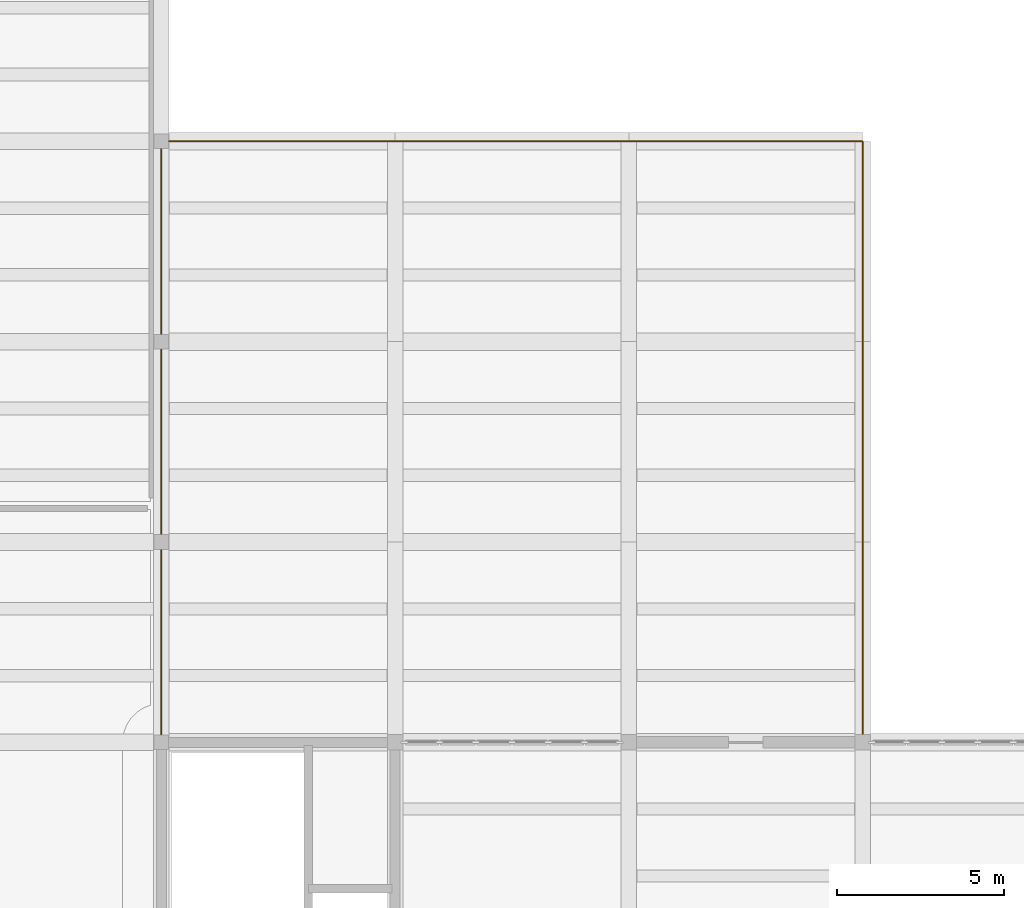
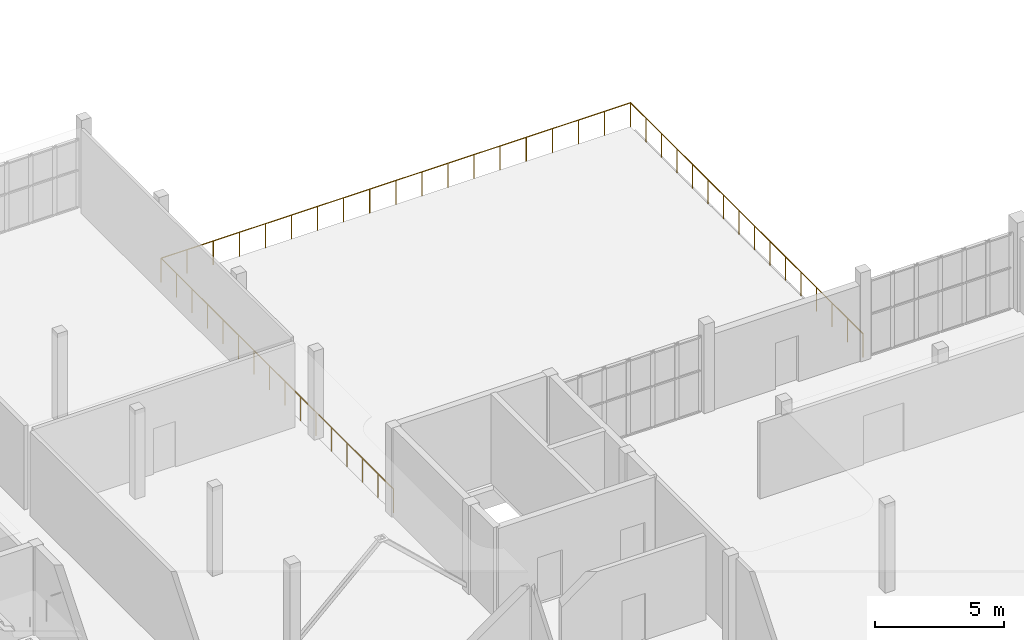
# One storey, part 70 of 70: 1 railing.
"""IFC4 building model written with IfcOpenShell, lengths in metres."""

from ifc_helpers import new_model, si_unit, direction, frame, origin, origin_2d, place, context, subcontext, project, spatial, circle, extrude, material, type_object, element, save


model = new_model("IFC4")

# Units and contexts
model_context = context("Model", 3, precision=1e-05, world=origin(), true_north=direction((0.0, 1.0)))
body_context = subcontext(model_context, "Body", "Model", "MODEL_VIEW")
ifc_project = project(units=[si_unit("LENGTHUNIT", "METRE"), si_unit("AREAUNIT", "SQUARE_METRE"), si_unit("VOLUMEUNIT", "CUBIC_METRE"), si_unit("PLANEANGLEUNIT", "RADIAN"), si_unit("MASSUNIT", "GRAM", prefix="KILO")], contexts=[model_context])

# Site, building, storey
site_placement = place(None, origin())
site = spatial("IfcSite", under=ifc_project, at=site_placement, CompositionType="ELEMENT")
building_placement = place(site_placement, origin())
building = spatial("IfcBuilding", under=site, at=building_placement, Name="Solvane Community Centre", CompositionType="ELEMENT")
storey_placement = place(building_placement, frame((0.0, 0.0, 9.60009765625)))
storey = spatial("IfcBuildingStorey", under=building, at=storey_placement, Name="L02", CompositionType="ELEMENT", Elevation=9.60009765625)

# Railing
ifc_material = material(Name="Anodised bronze aluminium AW-6063 T6", Category="aluminium")
railing_type = type_object("IfcRailingType", Name="Terrace Art Deco Guard Balustrade 1150mm", PredefinedType="BALUSTRADE", material=ifc_material)
railing_placement = place(storey_placement, frame((140.0, 36.0, 0.0)))
element("IfcRailing", 1, at=railing_placement, inside=storey, type_object=railing_type, Name="Terrace Guard GRD-TER-003", PredefinedType="BALUSTRADE", context=body_context, shape_type="SweptSolid", body=[
    extrude(circle(Radius=0.02392578125, at=origin_2d()), frame((0.0, 0.0, 1.1259765625), z_axis=(0.0, 1.0, 0.0), x_axis=(-1.0, 0.0, 0.0)), (0.0, 0.0, 1.0), 18.0),
    extrude(circle(Radius=0.02392578125, at=origin_2d()), frame((0.0, 18.0, 1.1259765625), z_axis=(1.0, 0.0, 0.0), x_axis=(0.0, 1.0, 0.0)), (0.0, 0.0, 1.0), 21.0),
    extrude(circle(Radius=0.02392578125, at=origin_2d()), frame((21.0, 18.0, 1.1259765625), z_axis=(0.0, -1.0, 0.0), x_axis=(1.0, 0.0, 0.0)), (0.0, 0.0, 1.0), 18.0),
    extrude(circle(Radius=0.02099609375, at=origin_2d()), origin(), (0.0, 0.0, 1.0), 1.101806640625),
    extrude(circle(Radius=0.02099609375, at=origin_2d()), frame((0.0, 1.199951171875, 0.0)), (0.0, 0.0, 1.0), 1.101806640625),
    extrude(circle(Radius=0.02099609375, at=origin_2d()), frame((0.0, 2.39990234375, 0.0)), (0.0, 0.0, 1.0), 1.101806640625),
    extrude(circle(Radius=0.02099609375, at=origin_2d()), frame((0.0, 3.60009765625, 0.0)), (0.0, 0.0, 1.0), 1.101806640625),
    extrude(circle(Radius=0.02099609375, at=origin_2d()), frame((0.0, 4.800048828125, 0.0)), (0.0, 0.0, 1.0), 1.101806640625),
    extrude(circle(Radius=0.02099609375, at=origin_2d()), frame((0.0, 6.0, 0.0)), (0.0, 0.0, 1.0), 1.101806640625),
    extrude(circle(Radius=0.02099609375, at=origin_2d()), frame((0.0, 7.199951171875, 0.0)), (0.0, 0.0, 1.0), 1.101806640625),
    extrude(circle(Radius=0.02099609375, at=origin_2d()), frame((0.0, 8.39990234375, 0.0)), (0.0, 0.0, 1.0), 1.101806640625),
    extrude(circle(Radius=0.02099609375, at=origin_2d()), frame((0.0, 9.60009765625, 0.0)), (0.0, 0.0, 1.0), 1.101806640625),
    extrude(circle(Radius=0.02099609375, at=origin_2d()), frame((0.0, 10.800048828125, 0.0)), (0.0, 0.0, 1.0), 1.101806640625),
    extrude(circle(Radius=0.02099609375, at=origin_2d()), frame((0.0, 12.0, 0.0)), (0.0, 0.0, 1.0), 1.101806640625),
    extrude(circle(Radius=0.02099609375, at=origin_2d()), frame((0.0, 13.199951171875, 0.0)), (0.0, 0.0, 1.0), 1.101806640625),
    extrude(circle(Radius=0.02099609375, at=origin_2d()), frame((0.0, 14.39990234375, 0.0)), (0.0, 0.0, 1.0), 1.101806640625),
    extrude(circle(Radius=0.02099609375, at=origin_2d()), frame((0.0, 15.60009765625, 0.0)), (0.0, 0.0, 1.0), 1.101806640625),
    extrude(circle(Radius=0.02099609375, at=origin_2d()), frame((0.0, 16.800048828125, 0.0)), (0.0, 0.0, 1.0), 1.101806640625),
    extrude(circle(Radius=0.02099609375, at=origin_2d()), frame((0.0, 18.0, 0.0)), (0.0, 0.0, 1.0), 1.101806640625),
    extrude(circle(Radius=0.02099609375, at=origin_2d()), frame((1.166748046875, 18.0, 0.0)), (0.0, 0.0, 1.0), 1.101806640625),
    extrude(circle(Radius=0.02099609375, at=origin_2d()), frame((2.333251953125, 18.0, 0.0)), (0.0, 0.0, 1.0), 1.101806640625),
    extrude(circle(Radius=0.02099609375, at=origin_2d()), frame((3.5, 18.0, 0.0)), (0.0, 0.0, 1.0), 1.101806640625),
    extrude(circle(Radius=0.02099609375, at=origin_2d()), frame((4.666748046875, 18.0, 0.0)), (0.0, 0.0, 1.0), 1.101806640625),
    extrude(circle(Radius=0.02099609375, at=origin_2d()), frame((5.833251953125, 18.0, 0.0)), (0.0, 0.0, 1.0), 1.101806640625),
    extrude(circle(Radius=0.02099609375, at=origin_2d()), frame((7.0, 18.0, 0.0)), (0.0, 0.0, 1.0), 1.101806640625),
    extrude(circle(Radius=0.02099609375, at=origin_2d()), frame((8.166748046875, 18.0, 0.0)), (0.0, 0.0, 1.0), 1.101806640625),
    extrude(circle(Radius=0.02099609375, at=origin_2d()), frame((9.333251953125, 18.0, 0.0)), (0.0, 0.0, 1.0), 1.101806640625),
    extrude(circle(Radius=0.02099609375, at=origin_2d()), frame((10.5, 18.0, 0.0)), (0.0, 0.0, 1.0), 1.101806640625),
    extrude(circle(Radius=0.02099609375, at=origin_2d()), frame((11.666748046875, 18.0, 0.0)), (0.0, 0.0, 1.0), 1.101806640625),
    extrude(circle(Radius=0.02099609375, at=origin_2d()), frame((12.833251953125, 18.0, 0.0)), (0.0, 0.0, 1.0), 1.101806640625),
    extrude(circle(Radius=0.02099609375, at=origin_2d()), frame((14.0, 18.0, 0.0)), (0.0, 0.0, 1.0), 1.101806640625),
    extrude(circle(Radius=0.02099609375, at=origin_2d()), frame((15.166748046875, 18.0, 0.0)), (0.0, 0.0, 1.0), 1.101806640625),
    extrude(circle(Radius=0.02099609375, at=origin_2d()), frame((16.333251953125, 18.0, 0.0)), (0.0, 0.0, 1.0), 1.101806640625),
    extrude(circle(Radius=0.02099609375, at=origin_2d()), frame((17.5, 18.0, 0.0)), (0.0, 0.0, 1.0), 1.101806640625),
    extrude(circle(Radius=0.02099609375, at=origin_2d()), frame((18.666748046875, 18.0, 0.0)), (0.0, 0.0, 1.0), 1.101806640625),
    extrude(circle(Radius=0.02099609375, at=origin_2d()), frame((19.833251953125, 18.0, 0.0)), (0.0, 0.0, 1.0), 1.101806640625),
    extrude(circle(Radius=0.02099609375, at=origin_2d()), frame((21.0, 18.0, 0.0)), (0.0, 0.0, 1.0), 1.101806640625),
    extrude(circle(Radius=0.02099609375, at=origin_2d()), frame((21.0, 16.800048828125, 0.0)), (0.0, 0.0, 1.0), 1.101806640625),
    extrude(circle(Radius=0.02099609375, at=origin_2d()), frame((21.0, 15.60009765625, 0.0)), (0.0, 0.0, 1.0), 1.101806640625),
    extrude(circle(Radius=0.02099609375, at=origin_2d()), frame((21.0, 14.39990234375, 0.0)), (0.0, 0.0, 1.0), 1.101806640625),
    extrude(circle(Radius=0.02099609375, at=origin_2d()), frame((21.0, 13.199951171875, 0.0)), (0.0, 0.0, 1.0), 1.101806640625),
    extrude(circle(Radius=0.02099609375, at=origin_2d()), frame((21.0, 12.0, 0.0)), (0.0, 0.0, 1.0), 1.101806640625),
    extrude(circle(Radius=0.02099609375, at=origin_2d()), frame((21.0, 10.800048828125, 0.0)), (0.0, 0.0, 1.0), 1.101806640625),
    extrude(circle(Radius=0.02099609375, at=origin_2d()), frame((21.0, 9.60009765625, 0.0)), (0.0, 0.0, 1.0), 1.101806640625),
    extrude(circle(Radius=0.02099609375, at=origin_2d()), frame((21.0, 8.39990234375, 0.0)), (0.0, 0.0, 1.0), 1.101806640625),
    extrude(circle(Radius=0.02099609375, at=origin_2d()), frame((21.0, 7.199951171875, 0.0)), (0.0, 0.0, 1.0), 1.101806640625),
    extrude(circle(Radius=0.02099609375, at=origin_2d()), frame((21.0, 6.0, 0.0)), (0.0, 0.0, 1.0), 1.101806640625),
    extrude(circle(Radius=0.02099609375, at=origin_2d()), frame((21.0, 4.800048828125, 0.0)), (0.0, 0.0, 1.0), 1.101806640625),
    extrude(circle(Radius=0.02099609375, at=origin_2d()), frame((21.0, 3.60009765625, 0.0)), (0.0, 0.0, 1.0), 1.101806640625),
    extrude(circle(Radius=0.02099609375, at=origin_2d()), frame((21.0, 2.39990234375, 0.0)), (0.0, 0.0, 1.0), 1.101806640625),
    extrude(circle(Radius=0.02099609375, at=origin_2d()), frame((21.0, 1.199951171875, 0.0)), (0.0, 0.0, 1.0), 1.101806640625),
    extrude(circle(Radius=0.02099609375, at=origin_2d()), frame((21.0, 0.0, 0.0)), (0.0, 0.0, 1.0), 1.101806640625),
])

save(model, "model.ifc")
